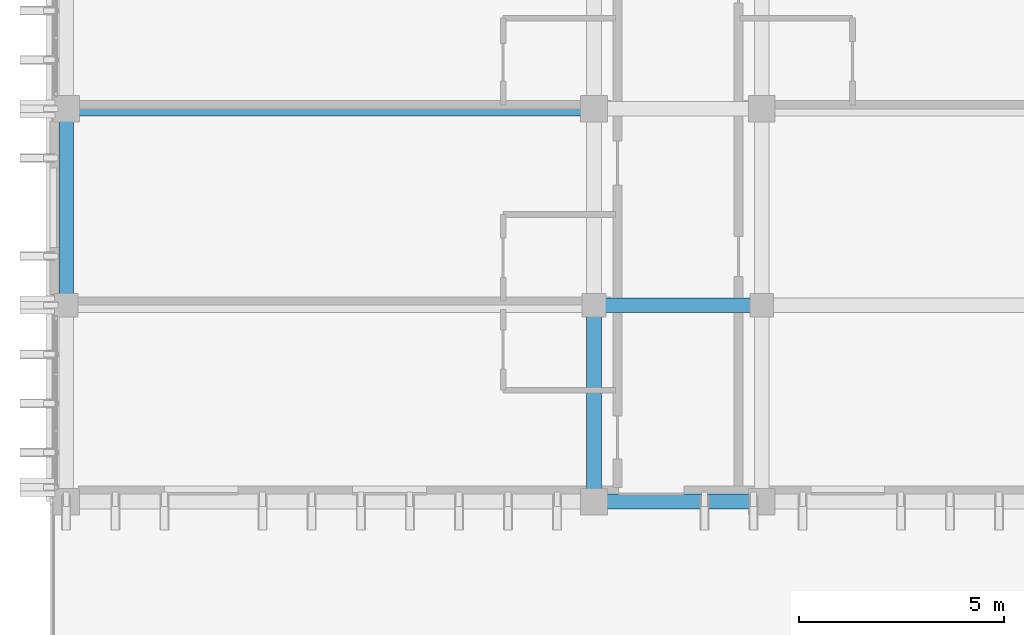
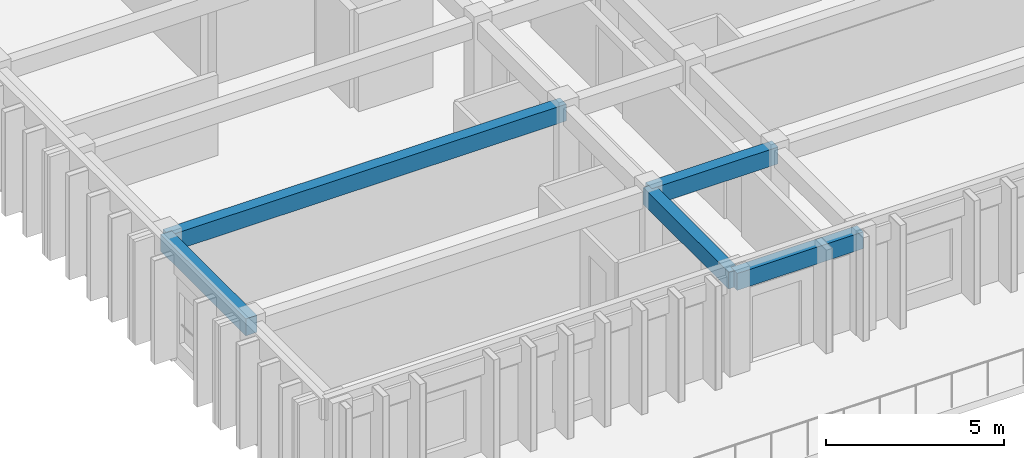
# One storey, part 3 of 49: 5 beams.
"""IFC4 building model written with IfcOpenShell, lengths in metres."""

from ifc_helpers import new_model, si_unit, direction, frame, origin, origin_2d, place, context, subcontext, project, spatial, rectangle, extrude, material, material_profile, profile_set, type_object, element, save


model = new_model("IFC4")

# Units and contexts
model_context = context("Model", 3, precision=1e-05, world=origin(), true_north=direction((0.0, 1.0)))
body_context = subcontext(model_context, "Body", "Model", "MODEL_VIEW")
ifc_project = project(units=[si_unit("LENGTHUNIT", "METRE"), si_unit("AREAUNIT", "SQUARE_METRE"), si_unit("VOLUMEUNIT", "CUBIC_METRE"), si_unit("PLANEANGLEUNIT", "RADIAN"), si_unit("MASSUNIT", "GRAM", prefix="KILO")], contexts=[model_context])

# Site, building, storey
site_placement = place(None, origin())
site = spatial("IfcSite", under=ifc_project, at=site_placement, CompositionType="ELEMENT")
building_placement = place(site_placement, origin())
building = spatial("IfcBuilding", under=site, at=building_placement, Name="Nakhvara Creek Congress Hotel", CompositionType="ELEMENT")
storey_placement = place(building_placement, frame((0.0, 0.0, 39.0)))
storey = spatial("IfcBuildingStorey", under=building, at=storey_placement, Name="L09", CompositionType="ELEMENT", Elevation=39.0)

# Beams
ifc_material = material(Name="Concrete C40/50", Category="concrete")
ifc_material_profile = material_profile(ifc_material, rectangle(XDim=0.360107421875, YDim=0.580078125, at=origin_2d()), Name="RC-BM 360x580", Category="LoadBearing")
ifc_profile_set = profile_set([ifc_material_profile], Name="Concrete C40/50")
beam_type = type_object("IfcBeamType", Name="BM-RC-360X580", PredefinedType="BEAM", material=ifc_profile_set)
beam_1_placement = place(storey_placement, frame((149.449951171875, 67.199951171875, 3.070068359375), z_axis=(1.0, 0.0, 0.0), x_axis=(0.0, 1.0, 0.0)))
element("IfcBeam", 1, at=beam_1_placement, inside=storey, type_object=beam_type, Name="Beam B09-L09-2535", PredefinedType="BEAM", context=body_context, shape_type="SweptSolid", body=[
    extrude(rectangle(XDim=0.360107421875, YDim=0.580078125, at=origin_2d()), origin(), (0.0, 0.0, 1.0), 12.900146484375),
])
beam_2_placement = place(storey_placement, frame((149.449951171875, 62.39990234375, 3.070068359375), z_axis=(0.0, 1.0, 0.0), x_axis=(-1.0, 0.0, 0.0)))
element("IfcBeam", 2, at=beam_2_placement, inside=storey, type_object=beam_type, Name="Beam B09-L09-2536", PredefinedType="BEAM", context=body_context, shape_type="SweptSolid", body=[
    extrude(rectangle(XDim=0.360107421875, YDim=0.580078125, at=origin_2d()), origin(), (0.0, 0.0, 1.0), 4.800048828125),
])
beam_3_placement = place(storey_placement, frame((162.35009765625, 57.60009765625, 3.070068359375), z_axis=(1.0, 0.0, 0.0), x_axis=(0.0, 1.0, 0.0)))
element("IfcBeam", 3, at=beam_3_placement, inside=storey, type_object=beam_type, Name="Beam B09-L09-2553", PredefinedType="BEAM", context=body_context, shape_type="SweptSolid", body=[
    extrude(rectangle(XDim=0.360107421875, YDim=0.580078125, at=origin_2d()), origin(), (0.0, 0.0, 1.0), 4.099853515625),
])
beam_4_placement = place(storey_placement, frame((162.35009765625, 57.60009765625, 3.070068359375), z_axis=(0.0, 1.0, 0.0), x_axis=(-1.0, 0.0, 0.0)))
element("IfcBeam", 4, at=beam_4_placement, inside=storey, type_object=beam_type, Name="Beam B09-L09-2554", PredefinedType="BEAM", context=body_context, shape_type="SweptSolid", body=[
    extrude(rectangle(XDim=0.360107421875, YDim=0.580078125, at=origin_2d()), origin(), (0.0, 0.0, 1.0), 4.7998046875),
])
beam_5_placement = place(storey_placement, frame((162.35009765625, 62.39990234375, 3.070068359375), z_axis=(1.0, 0.0, 0.0), x_axis=(0.0, 1.0, 0.0)))
element("IfcBeam", 5, at=beam_5_placement, inside=storey, type_object=beam_type, Name="Beam B09-L09-2616", PredefinedType="BEAM", context=body_context, shape_type="SweptSolid", body=[
    extrude(rectangle(XDim=0.360107421875, YDim=0.580078125, at=origin_2d()), origin(), (0.0, 0.0, 1.0), 4.099853515625),
])

save(model, "model.ifc")
